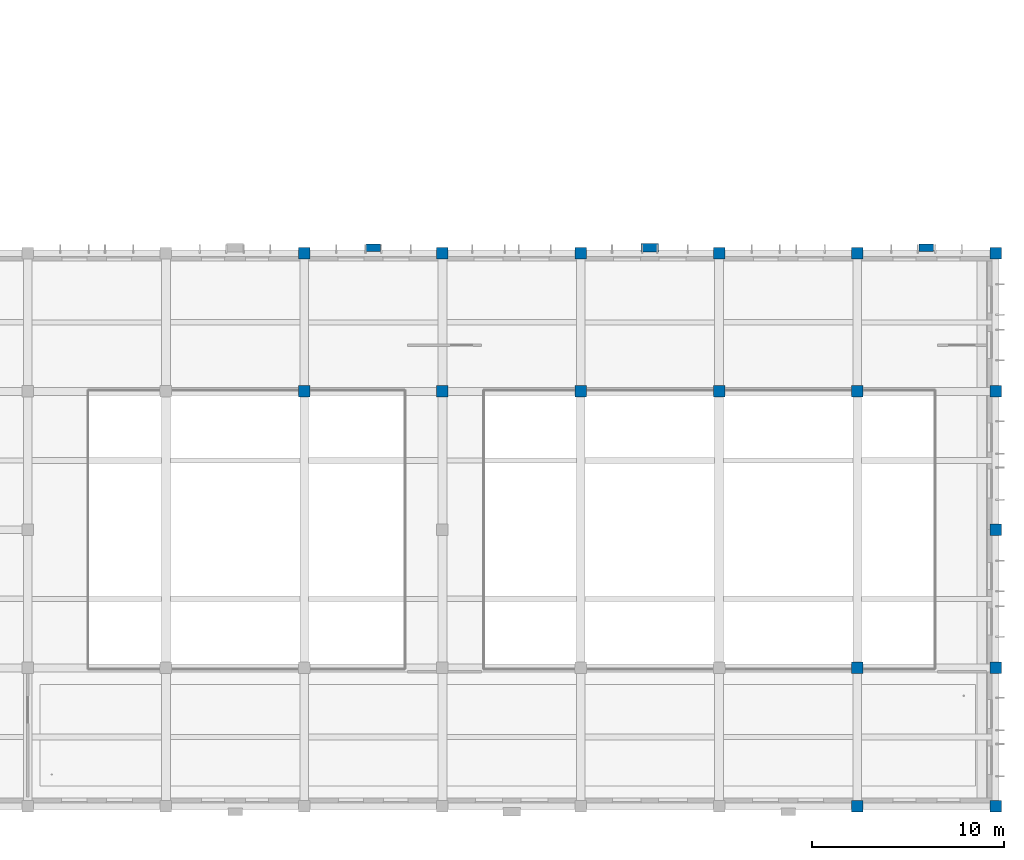
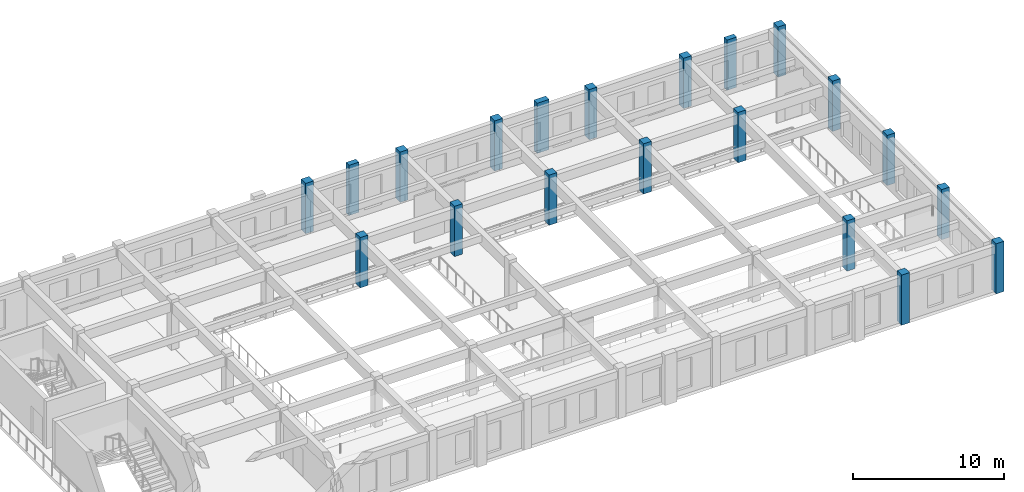
# One storey, part 2 of 88: 20 columns.
"""IFC4 building model written with IfcOpenShell, lengths in metres."""

import ifcopenshell
import ifcopenshell.guid

model = None  # the IFC model being written
_history = None  # IfcOwnerHistory: only IFC2X3 demands one
_inside = {}  # id of a spatial element -> (the spatial element, [elements in it])
_under = {}  # id of a project, library or spatial element -> (it, [spatial elements below it])
_declared = {}  # id of a project -> (the project, [libraries it declares])
_typed = {}  # id of a type object -> (the type object, [elements of that type])
_made_of = {}  # id of a material, layer set ... -> (it, [elements and type objects made of it])


def new_model(schema):
    """Start an empty IFC model of exactly this schema.

    Asked for "IFC4X3", IfcOpenShell would pick the latest addendum, in which some entities
    have other attributes; the version numbers below select the first issue.
    IFC2X3 requires an IfcOwnerHistory on every rooted entity: one is made here for all.
    """
    global model, _history
    if schema == "IFC4X3":
        model = ifcopenshell.file(schema_version=(4, 3, 0, 0))
    else:
        model = ifcopenshell.file(schema=schema)
    _inside.clear()
    _under.clear()
    _declared.clear()
    _typed.clear()
    _made_of.clear()
    _history = None
    if model.schema == "IFC2X3":
        org = make("IfcOrganization", Name="unknown")
        user = make(
            "IfcPersonAndOrganization",
            ThePerson=make("IfcPerson", FamilyName="unknown"),
            TheOrganization=org,
        )
        app = make(
            "IfcApplication",
            ApplicationDeveloper=org,
            Version="unknown",
            ApplicationFullName="unknown",
            ApplicationIdentifier="unknown",
        )
        _history = make(
            "IfcOwnerHistory",
            OwningUser=user,
            OwningApplication=app,
            ChangeAction="ADDED",
            CreationDate=0,
        )
    return model


def make(cls, **values):
    """One entity of the class cls with the attributes given. An attribute that is None is left unset."""
    return model.create_entity(
        cls, **{name: value for name, value in values.items() if value is not None}
    )


def rooted(cls, **values):
    """An entity with a GlobalId (a new one), such as an element, a storey or a relation."""
    return make(cls, GlobalId=ifcopenshell.guid.new(), OwnerHistory=_history, **values)


def si_unit(unit_type, name, prefix=None):
    """IfcSIUnit, for example si_unit("LENGTHUNIT", "METRE", prefix="MILLI")."""
    return make("IfcSIUnit", UnitType=unit_type, Prefix=prefix, Name=name)


def assignment(units):
    """IfcUnitAssignment: the units of a project."""
    return None if units is None else make("IfcUnitAssignment", Units=units)


def point(xyz):
    """IfcCartesianPoint."""
    return None if xyz is None else make("IfcCartesianPoint", Coordinates=xyz)


def direction(xyz):
    """IfcDirection."""
    return None if xyz is None else make("IfcDirection", DirectionRatios=xyz)


def frame(location, z_axis=None, x_axis=None):
    """IfcAxis2Placement3D, a coordinate frame: its origin and axes. An axis left out is left unset."""
    return make(
        "IfcAxis2Placement3D",
        Location=point(location),
        Axis=direction(z_axis),
        RefDirection=direction(x_axis),
    )


def frame_2d(location, x_axis=None):
    """IfcAxis2Placement2D, a coordinate frame in the plane: its origin and x axis."""
    return make(
        "IfcAxis2Placement2D", Location=point(location), RefDirection=direction(x_axis)
    )


def origin():
    """The frame at (0, 0, 0) with its axes left unset."""
    return frame((0.0, 0.0, 0.0))


def origin_2d():
    """The frame at (0, 0) in the plane with its x axis left unset."""
    return frame_2d((0.0, 0.0))


def place(relative_to, where):
    """IfcLocalPlacement: puts the frame where relative to a parent placement (None: the world)."""
    return make(
        "IfcLocalPlacement", PlacementRelTo=relative_to, RelativePlacement=where
    )


def context(
    kind, dimensions, precision=None, world=None, true_north=None, identifier=None
):
    """IfcGeometricRepresentationContext, for example the 3D "Model" context."""
    return make(
        "IfcGeometricRepresentationContext",
        ContextIdentifier=identifier,
        ContextType=kind,
        CoordinateSpaceDimension=dimensions,
        Precision=precision,
        WorldCoordinateSystem=world,
        TrueNorth=true_north,
    )


def subcontext(parent, identifier, kind, view, scale=None):
    """IfcGeometricRepresentationSubContext, for example "Body" below "Model"."""
    return make(
        "IfcGeometricRepresentationSubContext",
        ContextIdentifier=identifier,
        ContextType=kind,
        ParentContext=parent,
        TargetScale=scale,
        TargetView=view,
    )


def project(units=None, contexts=None):
    """IfcProject with its units and contexts."""
    return rooted(
        "IfcProject",
        Name="project",
        RepresentationContexts=contexts,
        UnitsInContext=assignment(units),
    )


def spatial(cls, under=None, at=None, **own):
    """A site, building, storey or space (cls), placed at a placement, below another one or the project."""
    s = rooted(cls, ObjectPlacement=at, **own)
    if under is not None:
        _under.setdefault(under.id(), (under, []))[1].append(s)
    return s


def profile(cls, at=None, kind="AREA", **sizes):
    """A parametric profile (cls). Its sizes go by their IFC names, for example OverallWidth=200.0."""
    return make(cls, ProfileType=kind, Position=at, **sizes)


def rectangle(**sizes):
    """IfcRectangleProfileDef."""
    return profile("IfcRectangleProfileDef", **sizes)


def extrude(swept, where, along, depth):
    """IfcExtrudedAreaSolid: the profile swept, set in the frame where, extruded along a direction by depth."""
    return make(
        "IfcExtrudedAreaSolid",
        SweptArea=swept,
        Position=where,
        ExtrudedDirection=direction(along),
        Depth=depth,
    )


def shape(context_of_items, identifier, shape_type, items):
    """IfcShapeRepresentation: the items that make up one representation, for example the "Body"."""
    return make(
        "IfcShapeRepresentation",
        ContextOfItems=context_of_items,
        RepresentationIdentifier=identifier,
        RepresentationType=shape_type,
        Items=items,
    )


def material(Name=None, Category=None):
    """IfcMaterial."""
    return make("IfcMaterial", Name=Name, Category=Category)


def material_profile(
    of_material, cross_section, Name=None, Category=None, Priority=None
):
    """IfcMaterialProfile: a cross section and its material."""
    return make(
        "IfcMaterialProfile",
        Name=Name,
        Material=of_material,
        Profile=cross_section,
        Priority=Priority,
        Category=Category,
    )


def profile_set(profiles, Name=None, composite=None):
    """IfcMaterialProfileSet."""
    return make(
        "IfcMaterialProfileSet",
        Name=Name,
        MaterialProfiles=profiles,
        CompositeProfile=composite,
    )


def made_of(thing, what):
    """Note that an element or type object is made of a material, layer set ...; save() writes the relation."""
    if what is not None:
        _made_of.setdefault(what.id(), (what, []))[1].append(thing)
    return thing


def type_object(cls, material=None, **own):
    """A type object (cls), such as IfcWallType, which elements share."""
    return made_of(rooted(cls, **own), material)


def element(
    cls,
    number,
    at=None,
    inside=None,
    cuts=None,
    type_object=None,
    material=None,
    context=None,
    identifier="Body",
    shape_type=None,
    held_by="IfcProductDefinitionShape",
    body=None,
    shapes=None,
    **own,
):
    """One element of the class cls, such as IfcWall. Its Tag is "e" and its number.

    at: its placement. inside: the storey or other place that contains it. cuts: it is an
    opening in that element (IfcRelVoidsElement). A single representation is given by context,
    identifier, shape_type and body (its items); several are given by shapes. held_by: the class
    of the entity that holds the representations. save() writes the other relations.
    """
    e = rooted(cls, Tag="e%d" % number, ObjectPlacement=at, **own)
    if body is not None:
        shapes = [shape(context, identifier, shape_type, body)]
    if shapes is not None:
        e.Representation = make(held_by, Representations=shapes)
    if inside is not None:
        _inside.setdefault(inside.id(), (inside, []))[1].append(e)
    if cuts is not None:
        rooted(
            "IfcRelVoidsElement", RelatingBuildingElement=cuts, RelatedOpeningElement=e
        )
    if type_object is not None:
        _typed.setdefault(type_object.id(), (type_object, []))[1].append(e)
    return made_of(e, material)


def aggregate(whole, parts):
    """IfcRelAggregates: a whole, such as a stair, and the parts it consists of."""
    return rooted("IfcRelAggregates", RelatingObject=whole, RelatedObjects=parts)


def save(model, path):
    """Write the relations noted so far, then the file.

    IfcRelAggregates (storeys below a building ...), IfcRelContainedInSpatialStructure (elements
    in a storey), IfcRelDefinesByType, IfcRelAssociatesMaterial and IfcRelDeclares: one each for
    every whole, place, type object, material and project.
    """
    for whole, parts in _under.values():
        aggregate(whole, parts)
    for where, things in _inside.values():
        rooted(
            "IfcRelContainedInSpatialStructure",
            RelatedElements=things,
            RelatingStructure=where,
        )
    for kind, things in _typed.values():
        rooted("IfcRelDefinesByType", RelatedObjects=things, RelatingType=kind)
    for what, things in _made_of.values():
        rooted("IfcRelAssociatesMaterial", RelatedObjects=things, RelatingMaterial=what)
    for by, libraries in _declared.values():
        rooted("IfcRelDeclares", RelatingContext=by, RelatedDefinitions=libraries)
    model.write(path)


model = new_model("IFC4")

# Units and contexts
model_context = context("Model", 3, precision=1e-05, world=origin(), true_north=direction((0.0, 1.0)))
body_context = subcontext(model_context, "Body", "Model", "MODEL_VIEW")
ifc_project = project(units=[si_unit("LENGTHUNIT", "METRE"), si_unit("AREAUNIT", "SQUARE_METRE"), si_unit("VOLUMEUNIT", "CUBIC_METRE"), si_unit("PLANEANGLEUNIT", "RADIAN"), si_unit("MASSUNIT", "GRAM", prefix="KILO")], contexts=[model_context])

# Site, building, storey
site_placement = place(None, origin())
site = spatial("IfcSite", under=ifc_project, at=site_placement, CompositionType="ELEMENT")
building_placement = place(site_placement, origin())
building = spatial("IfcBuilding", under=site, at=building_placement, Name="Alvorim Cloister Faculty of Sciences", CompositionType="ELEMENT")
storey_placement = place(building_placement, frame((0.0, 0.0, 4.5)))
storey = spatial("IfcBuildingStorey", under=building, at=storey_placement, Name="L01", CompositionType="ELEMENT", Elevation=4.5)

# Columns
ifc_material_1 = material(Name="Concrete C40", Category="concrete")
ifc_material_profile_1 = material_profile(ifc_material_1, rectangle(XDim=0.60009765625, YDim=0.60009765625, at=origin_2d()), Name="RC40-COL-600x600")
ifc_profile_set_1 = profile_set([ifc_material_profile_1], Name="Concrete C40")
column_type_1 = type_object("IfcColumnType", Name="COL-RC-600", PredefinedType="COLUMN", material=ifc_profile_set_1)
for number, where, z_axis, x_axis, name in (
    (1, (129.60009765625, 21.60009765625, 0.0), (0.0, 0.0, 1.0), (1.0, 0.0, 0.0), "L01 Column COL-0532"),
    (2, (129.60009765625, 28.800048828125, 0.0), (0.0, 0.0, 1.0), (1.0, 0.0, 0.0), "L01 Column COL-0533"),
    (3, (136.800048828125, 21.60009765625, 0.0), (0.0, 0.0, 1.0), (1.0, 0.0, 0.0), "L01 Column COL-0537"),
    (4, (136.800048828125, 28.800048828125, 0.0), (0.0, 0.0, 1.0), (1.0, 0.0, 0.0), "L01 Column COL-0538"),
    (5, (144.0, 21.60009765625, 0.0), (0.0, 0.0, 1.0), (1.0, 0.0, 0.0), "L01 Column COL-0541"),
    (6, (144.0, 28.800048828125, 0.0), (0.0, 0.0, 1.0), (1.0, 0.0, 0.0), "L01 Column COL-0542"),
    (7, (151.199951171875, 21.60009765625, 0.0), (0.0, 0.0, 1.0), (1.0, 0.0, 0.0), "L01 Column COL-0545"),
    (8, (151.199951171875, 28.800048828125, 0.0), (0.0, 0.0, 1.0), (1.0, 0.0, 0.0), "L01 Column COL-0546"),
    (9, (158.39990234375, 0.0, 0.0), (0.0, 0.0, 1.0), (1.0, 0.0, 0.0), "L01 Column COL-0547"),
    (10, (158.39990234375, 7.199951171875, 0.0), (0.0, 0.0, 1.0), (1.0, 0.0, 0.0), "L01 Column COL-0548"),
    (11, (158.39990234375, 21.60009765625, 0.0), (0.0, 0.0, 1.0), (1.0, 0.0, 0.0), "L01 Column COL-0549"),
    (12, (158.39990234375, 28.800048828125, 0.0), (0.0, 0.0, 1.0), (1.0, 0.0, 0.0), "L01 Column COL-0550"),
    (13, (165.60009765625, 0.0, 0.0), (0.0, 0.0, 1.0), (1.0, 0.0, 0.0), "L01 Column COL-0551"),
    (14, (165.60009765625, 7.199951171875, 0.0), (0.0, 0.0, 1.0), (1.0, 0.0, 0.0), "L01 Column COL-0552"),
    (15, (165.60009765625, 14.39990234375, 0.0), (0.0, 0.0, 1.0), (1.0, 0.0, 0.0), "L01 Column COL-0553"),
    (16, (165.60009765625, 21.60009765625, 0.0), (0.0, 0.0, 1.0), (1.0, 0.0, 0.0), "L01 Column COL-0554"),
    (17, (165.60009765625, 28.800048828125, 0.0), (0.0, 0.0, 1.0), (1.0, 0.0, 0.0), "L01 Column COL-0555"),
):
    element("IfcColumn", number, at=place(storey_placement, frame(where, z_axis=z_axis, x_axis=x_axis)), inside=storey, type_object=column_type_1, Name=name, PredefinedType="COLUMN", context=body_context, shape_type="SweptSolid", body=[
        extrude(rectangle(XDim=0.60009765625, YDim=0.60009765625, at=origin_2d()), origin(), (0.0, 0.0, 1.0), 4.050048828125),
    ])
ifc_material_2 = material(Name="Precast Concrete C40", Category="concrete")
ifc_material_profile_2 = material_profile(ifc_material_2, rectangle(XDim=0.39990234375, YDim=0.75, at=origin_2d()), Name="RC40-PIL-400x750")
ifc_profile_set_2 = profile_set([ifc_material_profile_2], Name="Precast Concrete C40")
column_type_2 = type_object("IfcColumnType", Name="PIL-PC-400x750", PredefinedType="PILASTER", material=ifc_profile_set_2)
for number, where, z_axis, x_axis, name in (
    (18, (133.199951171875, 29.080078125, 0.0), (0.0, 0.0, 1.0), (0.0, 1.0, 0.0), "L01 Gothic Buttress Pier COL-1210"),
    (19, (162.0, 29.080078125, 0.0), (0.0, 0.0, 1.0), (0.0, 1.0, 0.0), "L01 Gothic Buttress Pier COL-1216"),
):
    element("IfcColumn", number, at=place(storey_placement, frame(where, z_axis=z_axis, x_axis=x_axis)), inside=storey, type_object=column_type_2, Name=name, PredefinedType="PILASTER", context=body_context, shape_type="SweptSolid", body=[
        extrude(rectangle(XDim=0.39990234375, YDim=0.75, at=origin_2d()), origin(), (0.0, 0.0, 1.0), 4.050048828125),
    ])
ifc_material_profile_3 = material_profile(ifc_material_2, rectangle(XDim=0.449951171875, YDim=0.89990234375, at=origin_2d()), Name="RC40-PIL-450x900")
ifc_profile_set_3 = profile_set([ifc_material_profile_3], Name="Precast Concrete C40")
column_type_3 = type_object("IfcColumnType", Name="PIL-PC-450x900", PredefinedType="PILASTER", material=ifc_profile_set_3)
column_placement = place(storey_placement, frame((147.60009765625, 29.080078125, 0.0), z_axis=(0.0, 0.0, 1.0), x_axis=(0.0, 1.0, 0.0)))
element("IfcColumn", 20, at=column_placement, inside=storey, type_object=column_type_3, Name="L01 Gothic Buttress Pier COL-1213", PredefinedType="PILASTER", context=body_context, shape_type="SweptSolid", body=[
    extrude(rectangle(XDim=0.449951171875, YDim=0.89990234375, at=origin_2d()), origin(), (0.0, 0.0, 1.0), 4.050048828125),
])

save(model, "model.ifc")
